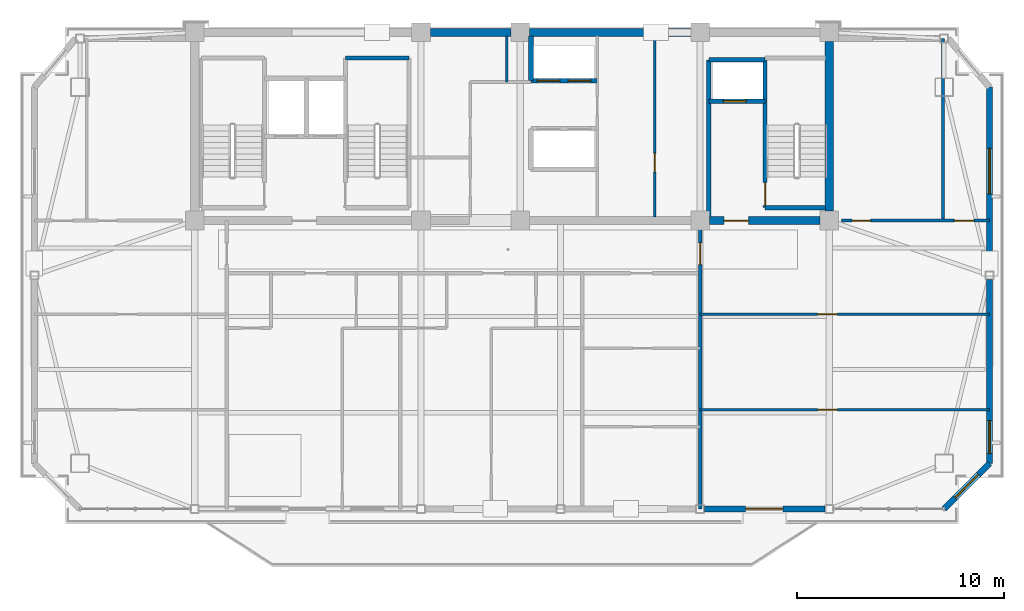
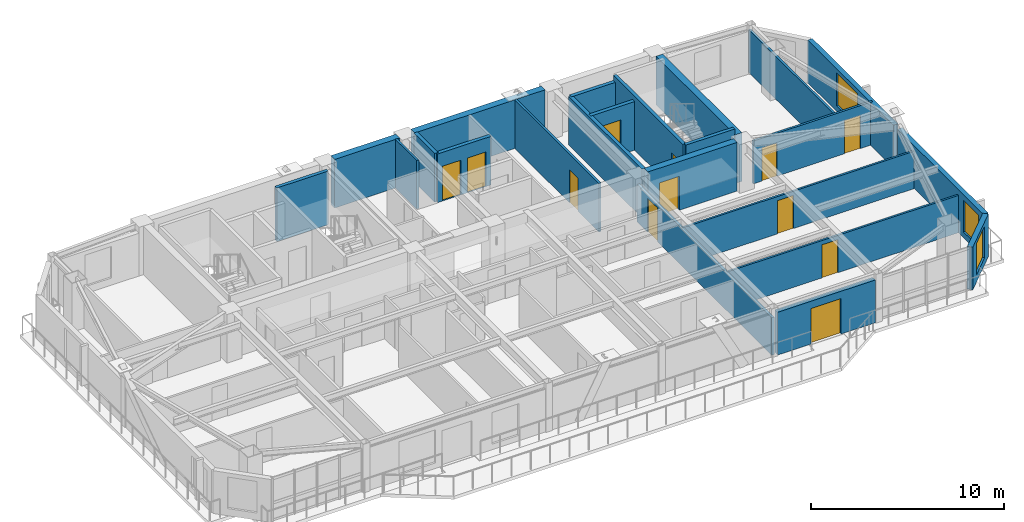
# One storey, part 8 of 13: 23 walls, 12 doors, 3 windows, 15 openings.
"""IFC4 building model written with IfcOpenShell, lengths in metres."""

from ifc_helpers import new_model, si_unit, direction, frame, frame_2d, origin, place, context, subcontext, project, spatial, rectangle, extrude, source, transform, mapped, material, layer, layer_set, type_object, element, fill, save


model = new_model("IFC4")

# Units and contexts
model_context = context("Model", 3, precision=1e-05, world=origin(), true_north=direction((0.0, 1.0)))
body_context = subcontext(model_context, "Body", "Model", "MODEL_VIEW")
ifc_project = project(units=[si_unit("LENGTHUNIT", "METRE"), si_unit("AREAUNIT", "SQUARE_METRE"), si_unit("VOLUMEUNIT", "CUBIC_METRE"), si_unit("PLANEANGLEUNIT", "RADIAN"), si_unit("MASSUNIT", "GRAM", prefix="KILO")], contexts=[model_context])

# Site, building, storey
site_placement = place(None, origin())
site = spatial("IfcSite", under=ifc_project, at=site_placement, CompositionType="ELEMENT")
building_placement = place(site_placement, origin())
building = spatial("IfcBuilding", under=site, at=building_placement, Name="Giltprow Tower", CompositionType="ELEMENT")
storey_placement = place(building_placement, frame((0.0, 0.0, 349.300048828125)))
storey = spatial("IfcBuildingStorey", under=building, at=storey_placement, Name="L91", CompositionType="ELEMENT", Elevation=349.300048828125)

# Wall, opening, window
ifc_material_1 = material(Name="Precast concrete C40", Category="concrete")
ifc_layer_1 = layer(ifc_material_1, 0.300048828125, Name="Precast concrete C40")
ifc_layer_set_1 = layer_set([ifc_layer_1], Name="Precast concrete C40")
wall_type_1 = type_object("IfcWallType", Name="EW-NOTCH-CHAMFER-300", PredefinedType="SOLIDWALL", material=ifc_layer_set_1)
wall_1_placement = place(storey_placement, frame((56.10009765625, 23.5, 0.0), z_axis=(0.0, 0.0, 1.0), x_axis=(0.707106781187, 0.707106781187, 0.0)))
wall_1 = element("IfcWall", 1, at=wall_1_placement, inside=storey, type_object=wall_type_1, Name="L91 Corner Notch Wall SE", PredefinedType="SOLIDWALL", context=body_context, shape_type="SweptSolid", body=[
    extrude(rectangle(XDim=3.111083984375, YDim=0.300048828125, at=frame_2d((1.5556640625, 0.0))), origin(), (0.0, 0.0, 1.0), 2.7099609375),
])
opening_1_placement = place(wall_1_placement, frame((0.756103515625, 0.0, 0.449951171875)))
opening_1 = element("IfcOpeningElement", 2, at=opening_1_placement, cuts=wall_1, Name="Opening WN17", PredefinedType="OPENING", context=body_context, shape_type="SweptSolid", body=[
    extrude(rectangle(XDim=1.60009765625, YDim=2.0, at=frame_2d((0.800048828125, 1.0))), frame((0.0, 0.159912109375, 0.0), z_axis=(0.0, -1.0, 0.0), x_axis=(1.0, 0.0, 0.0)), (0.0, 0.0, 1.0), 0.320068359375),
])
ifc_material_2 = material(Name="Insulated glass", Category="glass")
window_type_1 = type_object("IfcWindowType", Name="WN-COR-1600x2000", PartitioningType="SINGLE_PANEL", PredefinedType="WINDOW", material=ifc_material_2)
shared_shape_1 = source(origin(), body_context, "Body", "SweptSolid", [
    extrude(rectangle(XDim=1.60009765625, YDim=2.0, at=frame_2d((0.800048828125, 1.0))), frame((0.0, 0.030029296875, 0.0), z_axis=(0.0, -1.0, 0.0), x_axis=(1.0, 0.0, 0.0)), (0.0, 0.0, 1.0), 0.06005859375),
])
window_1_placement = place(opening_1_placement, origin())
window_1 = element("IfcWindow", 3, at=window_1_placement, inside=storey, type_object=window_type_1, Name="L91 Corner Notch Window SE", OverallHeight=2.0, OverallWidth=1.60009765625, PartitioningType="SINGLE_PANEL", PredefinedType="WINDOW", context=body_context, shape_type="MappedRepresentation", body=[
    mapped(shared_shape_1, transform((0.0, 0.0, 0.0), x_axis=(1.0, 0.0, 0.0), y_axis=(0.0, 1.0, 0.0), z_axis=(0.0, 0.0, 1.0), scale=1.0)),
])
fill(opening_1, window_1)

# Wall, opening, door
ifc_layer_2 = layer(ifc_material_1, 0.280029296875, Name="Precast concrete C40")
ifc_layer_set_2 = layer_set([ifc_layer_2], Name="Precast concrete C40")
wall_type_2 = type_object("IfcWallType", Name="EW-TOW-BRONZE-280", PredefinedType="SOLIDWALL", material=ifc_layer_set_2)
wall_2_placement = place(storey_placement, frame((44.5, 23.5, 0.0), z_axis=(0.0, 0.0, 1.0), x_axis=(1.0, 0.0, 0.0)))
wall_2 = element("IfcWall", 4, at=wall_2_placement, inside=storey, type_object=wall_type_2, Name="L91 South Expressed Frame Wall 5", PredefinedType="SOLIDWALL", context=body_context, shape_type="SweptSolid", body=[
    extrude(rectangle(XDim=5.85009765625, YDim=0.280029296875, at=frame_2d((2.925048828125, 0.0))), origin(), (0.0, 0.0, 1.0), 2.7099609375),
])
opening_2_placement = place(wall_2_placement, frame((2.0, 0.0, 0.0)))
opening_2 = element("IfcOpeningElement", 5, at=opening_2_placement, cuts=wall_2, Name="Opening ED25", PredefinedType="OPENING", context=body_context, shape_type="SweptSolid", body=[
    extrude(rectangle(XDim=1.800048828125, YDim=2.25, at=frame_2d((0.89990234375, 1.125))), frame((0.0, 0.14990234375, 0.0), z_axis=(0.0, -1.0, 0.0), x_axis=(1.0, 0.0, 0.0)), (0.0, 0.0, 1.0), 0.300048828125),
])
ifc_material_3 = material(Name="Anodized bronze and glass", Category="glass")
door_type_1 = type_object("IfcDoorType", Name="DR-BALC-SLIDE-1800", OperationType="SLIDING_TO_LEFT", PredefinedType="DOOR", material=ifc_material_3)
shared_shape_2 = source(origin(), body_context, "Body", "SweptSolid", [
    extrude(rectangle(XDim=1.800048828125, YDim=2.25, at=frame_2d((0.89990234375, 1.125))), frame((0.0, 0.02490234375, 0.0), z_axis=(0.0, -1.0, 0.0), x_axis=(1.0, 0.0, 0.0)), (0.0, 0.0, 1.0), 0.050048828125),
])
door_1_placement = place(opening_2_placement, origin())
door_1 = element("IfcDoor", 6, at=door_1_placement, inside=storey, type_object=door_type_1, Name="L91 Waterfront Balcony Sliding Door 2", OperationType="SLIDING_TO_LEFT", OverallHeight=2.25, OverallWidth=1.800048828125, PredefinedType="DOOR", context=body_context, shape_type="MappedRepresentation", body=[
    mapped(shared_shape_2, transform((0.0, 0.0, 0.0), x_axis=(1.0, 0.0, 0.0), y_axis=(0.0, 1.0, 0.0), z_axis=(0.0, 0.0, 1.0), scale=1.0)),
])
fill(opening_2, door_1)

# Wall, opening, window
wall_3_placement = place(storey_placement, frame((58.300048828125, 25.699951171875, 0.0), z_axis=(0.0, 0.0, 1.0), x_axis=(0.0, 1.0, 0.0)))
wall_3 = element("IfcWall", 7, at=wall_3_placement, inside=storey, type_object=wall_type_2, Name="L91 E Wing Masonry Wall 1", PredefinedType="SOLIDWALL", context=body_context, shape_type="SweptSolid", body=[
    extrude(rectangle(XDim=8.900146484375, YDim=0.280029296875, at=frame_2d((4.4501953125, 0.0))), origin(), (0.0, 0.0, 1.0), 2.7099609375),
])
opening_3_placement = place(wall_3_placement, frame((0.468017578125, 0.0, 0.35009765625)))
opening_3 = element("IfcOpeningElement", 8, at=opening_3_placement, cuts=wall_3, Name="Opening WN17", PredefinedType="OPENING", context=body_context, shape_type="SweptSolid", body=[
    extrude(rectangle(XDim=1.60009765625, YDim=2.0, at=frame_2d((0.800048828125, 1.0))), frame((0.0, 0.14990234375, 0.0), z_axis=(0.0, -1.0, 0.0), x_axis=(1.0, 0.0, 0.0)), (0.0, 0.0, 1.0), 0.300048828125),
])
window_2_placement = place(opening_3_placement, origin())
window_2 = element("IfcWindow", 9, at=window_2_placement, inside=storey, type_object=window_type_1, Name="L91 E Wing Window 1-1", OverallHeight=2.0, OverallWidth=1.60009765625, PartitioningType="SINGLE_PANEL", PredefinedType="WINDOW", context=body_context, shape_type="MappedRepresentation", body=[
    mapped(shared_shape_1, transform((0.0, 0.0, 0.0), x_axis=(1.0, 0.0, 0.0), y_axis=(0.0, 1.0, 0.0), z_axis=(0.0, 0.0, 1.0), scale=1.0)),
])
fill(opening_3, window_2)

wall_4_placement = place(storey_placement, frame((58.300048828125, 35.0, 0.0), z_axis=(0.0, 0.0, 1.0), x_axis=(0.0, 1.0, 0.0)))
wall_4 = element("IfcWall", 10, at=wall_4_placement, inside=storey, type_object=wall_type_2, Name="L91 E Wing Masonry Wall 2", PredefinedType="SOLIDWALL", context=body_context, shape_type="SweptSolid", body=[
    extrude(rectangle(XDim=8.89990234375, YDim=0.280029296875, at=frame_2d((4.449951171875, 0.0))), origin(), (0.0, 0.0, 1.0), 2.7099609375),
])
opening_4_placement = place(wall_4_placement, frame((3.73388671875, 0.0, 0.35009765625)))
opening_4 = element("IfcOpeningElement", 11, at=opening_4_placement, cuts=wall_4, Name="Opening WN27", PredefinedType="OPENING", context=body_context, shape_type="SweptSolid", body=[
    extrude(rectangle(XDim=2.199951171875, YDim=2.10009765625, at=frame_2d((1.10009765625, 1.050048828125))), frame((0.0, 0.14990234375, 0.0), z_axis=(0.0, -1.0, 0.0), x_axis=(1.0, 0.0, 0.0)), (0.0, 0.0, 1.0), 0.300048828125),
])
window_type_2 = type_object("IfcWindowType", Name="WN-RES-2200x2100", PartitioningType="TRIPLE_PANEL_VERTICAL", PredefinedType="WINDOW", material=ifc_material_2)
shared_shape_3 = source(origin(), body_context, "Body", "SweptSolid", [
    extrude(rectangle(XDim=2.199951171875, YDim=2.10009765625, at=frame_2d((1.10009765625, 1.050048828125))), frame((0.0, 0.030029296875, 0.0), z_axis=(0.0, -1.0, 0.0), x_axis=(1.0, 0.0, 0.0)), (0.0, 0.0, 1.0), 0.06005859375),
])
window_3_placement = place(opening_4_placement, origin())
window_3 = element("IfcWindow", 12, at=window_3_placement, inside=storey, type_object=window_type_2, Name="L91 E Wing Window 2-1", OverallHeight=2.10009765625, OverallWidth=2.199951171875, PartitioningType="SINGLE_PANEL", PredefinedType="WINDOW", context=body_context, shape_type="MappedRepresentation", body=[
    mapped(shared_shape_3, transform((0.0, 0.0, 0.0), x_axis=(1.0, 0.0, 0.0), y_axis=(0.0, 1.0, 0.0), z_axis=(0.0, 0.0, 1.0), scale=1.0)),
])
fill(opening_4, window_3)

# Wall, opening, door
ifc_material_4 = material(Name="Gypsum stud partition", Category="gypsum")
ifc_layer_3 = layer(ifc_material_4, 0.159912109375, Name="Gypsum stud partition")
ifc_layer_set_3 = layer_set([ifc_layer_3], Name="Gypsum stud partition")
wall_type_3 = type_object("IfcWallType", Name="IW-DEMISE-160", PredefinedType="PARTITIONING", material=ifc_layer_set_3)
wall_5_placement = place(storey_placement, frame((44.300048828125, 23.5, 0.0), z_axis=(0.0, 0.0, 1.0), x_axis=(0.0, 1.0, 0.0)))
wall_5 = element("IfcWall", 13, at=wall_5_placement, inside=storey, type_object=wall_type_3, Name="L91 Apartment Party Wall 4", PredefinedType="PARTITIONING", context=body_context, shape_type="SweptSolid", body=[
    extrude(rectangle(XDim=13.949951171875, YDim=0.159912109375, at=frame_2d((6.97509765625, 0.0))), origin(), (0.0, 0.0, 1.0), 2.364990234375),
])
opening_5_placement = place(wall_5_placement, frame((11.820068359375, 0.0, 0.0)))
opening_5 = element("IfcOpeningElement", 14, at=opening_5_placement, cuts=wall_5, Name="Opening ID31", PredefinedType="OPENING", context=body_context, shape_type="SweptSolid", body=[
    extrude(rectangle(XDim=1.050048828125, YDim=2.14990234375, at=frame_2d((0.52490234375, 1.074951171875))), frame((0.0, 0.08984375, 0.0), z_axis=(0.0, -1.0, 0.0), x_axis=(1.0, 0.0, 0.0)), (0.0, 0.0, 1.0), 0.179931640625),
])
ifc_material_5 = material(Name="Engineered timber", Category="wood")
door_type_2 = type_object("IfcDoorType", Name="DR-SUITE-1050", OperationType="SINGLE_SWING_LEFT", PredefinedType="DOOR", material=ifc_material_5)
shared_shape_4 = source(origin(), body_context, "Body", "SweptSolid", [
    extrude(rectangle(XDim=1.050048828125, YDim=2.14990234375, at=frame_2d((0.52490234375, 1.074951171875))), frame((0.0, 0.02490234375, 0.0), z_axis=(0.0, -1.0, 0.0), x_axis=(1.0, 0.0, 0.0)), (0.0, 0.0, 1.0), 0.050048828125),
])
door_2_placement = place(opening_5_placement, origin())
door_2 = element("IfcDoor", 15, at=door_2_placement, inside=storey, type_object=door_type_2, Name="L91 Executive Summit Meeting Room 2 Corridor End Door", OperationType="SINGLE_SWING_LEFT", OverallHeight=2.14990234375, OverallWidth=1.050048828125, PredefinedType="DOOR", context=body_context, shape_type="MappedRepresentation", body=[
    mapped(shared_shape_4, transform((0.0, 0.0, 0.0), x_axis=(1.0, 0.0, 0.0), y_axis=(0.0, 1.0, 0.0), z_axis=(0.0, 0.0, 1.0), scale=1.0)),
])
fill(opening_5, door_2)

ifc_layer_4 = layer(ifc_material_4, 0.1201171875, Name="Gypsum stud partition")
ifc_layer_set_4 = layer_set([ifc_layer_4], Name="Gypsum stud partition")
wall_type_4 = type_object("IfcWallType", Name="IW-ROOM-120", PredefinedType="PARTITIONING", material=ifc_layer_set_4)
wall_6_placement = place(storey_placement, frame((44.300048828125, 28.306884765625, 0.0), z_axis=(0.0, 0.0, 1.0), x_axis=(1.0, 0.0, 0.0)))
wall_6 = element("IfcWall", 16, at=wall_6_placement, inside=storey, type_object=wall_type_4, Name="L91 Special Split 1", PredefinedType="PARTITIONING", context=body_context, shape_type="SweptSolid", body=[
    extrude(rectangle(XDim=14.0, YDim=0.1201171875, at=frame_2d((7.0, 0.0))), origin(), (0.0, 0.0, 1.0), 2.364990234375),
])
opening_6_placement = place(wall_6_placement, frame((5.68603515625, 0.0, 0.0)))
opening_6 = element("IfcOpeningElement", 17, at=opening_6_placement, cuts=wall_6, Name="Opening ID11", PredefinedType="OPENING", context=body_context, shape_type="SweptSolid", body=[
    extrude(rectangle(XDim=0.949951171875, YDim=2.10009765625, at=frame_2d((0.47509765625, 1.050048828125))), frame((0.0, 0.070068359375, 0.0), z_axis=(0.0, -1.0, 0.0), x_axis=(1.0, 0.0, 0.0)), (0.0, 0.0, 1.0), 0.14013671875),
])
door_type_3 = type_object("IfcDoorType", Name="DR-ROOM-950", OperationType="SINGLE_SWING_RIGHT", PredefinedType="DOOR", material=ifc_material_5)
shared_shape_5 = source(origin(), body_context, "Body", "SweptSolid", [
    extrude(rectangle(XDim=0.949951171875, YDim=2.10009765625, at=frame_2d((0.47509765625, 1.050048828125))), frame((0.0, 0.02490234375, 0.0), z_axis=(0.0, -1.0, 0.0), x_axis=(1.0, 0.0, 0.0)), (0.0, 0.0, 1.0), 0.050048828125),
])
door_3_placement = place(opening_6_placement, origin())
door_3 = element("IfcDoor", 18, at=door_3_placement, inside=storey, type_object=door_type_3, Name="L91 Executive Summit Meeting Room 2 South Door", OperationType="SINGLE_SWING_RIGHT", OverallHeight=2.10009765625, OverallWidth=0.949951171875, PredefinedType="DOOR", context=body_context, shape_type="MappedRepresentation", body=[
    mapped(shared_shape_5, transform((0.0, 0.0, 0.0), x_axis=(1.0, 0.0, 0.0), y_axis=(0.0, 1.0, 0.0), z_axis=(0.0, 0.0, 1.0), scale=1.0)),
])
fill(opening_6, door_3)

wall_7_placement = place(storey_placement, frame((44.300048828125, 32.9140625, 0.0), z_axis=(0.0, 0.0, 1.0), x_axis=(1.0, 0.0, 0.0)))
wall_7 = element("IfcWall", 19, at=wall_7_placement, inside=storey, type_object=wall_type_4, Name="L91 Special Split 2", PredefinedType="PARTITIONING", context=body_context, shape_type="SweptSolid", body=[
    extrude(rectangle(XDim=14.0, YDim=0.1201171875, at=frame_2d((7.0, 0.0))), origin(), (0.0, 0.0, 1.0), 2.364990234375),
])
opening_7_placement = place(wall_7_placement, frame((5.68603515625, 0.0, 0.0)))
opening_7 = element("IfcOpeningElement", 20, at=opening_7_placement, cuts=wall_7, Name="Opening ID11", PredefinedType="OPENING", context=body_context, shape_type="SweptSolid", body=[
    extrude(rectangle(XDim=0.949951171875, YDim=2.10009765625, at=frame_2d((0.47509765625, 1.050048828125))), frame((0.0, 0.070068359375, 0.0), z_axis=(0.0, -1.0, 0.0), x_axis=(1.0, 0.0, 0.0)), (0.0, 0.0, 1.0), 0.14013671875),
])
door_4_placement = place(opening_7_placement, origin())
door_4 = element("IfcDoor", 21, at=door_4_placement, inside=storey, type_object=door_type_3, Name="L91 Executive Summit Meeting Room 2 Mid Door", OperationType="SINGLE_SWING_LEFT", OverallHeight=2.10009765625, OverallWidth=0.949951171875, PredefinedType="DOOR", context=body_context, shape_type="MappedRepresentation", body=[
    mapped(shared_shape_5, transform((0.0, 0.0, 0.0), x_axis=(1.0, 0.0, 0.0), y_axis=(0.0, 1.0, 0.0), z_axis=(0.0, 0.0, 1.0), scale=1.0)),
])
fill(opening_7, door_4)

ifc_material_6 = material(Name="Concrete C40", Category="concrete")
ifc_layer_5 = layer(ifc_material_6, 0.219970703125, Name="Concrete C40")
ifc_layer_set_5 = layer_set([ifc_layer_5], Name="Concrete C40")
wall_type_5 = type_object("IfcWallType", Name="IW-SHAFT-220", PredefinedType="SOLIDWALL", material=ifc_layer_set_5)
wall_8_placement = place(storey_placement, frame((44.719970703125, 43.219970703125, 0.0), z_axis=(0.0, 0.0, 1.0), x_axis=(1.0, 0.0, 0.0)))
wall_8 = element("IfcWall", 22, at=wall_8_placement, inside=storey, type_object=wall_type_5, Name="L91 FFL2 Front Shaft Wall", PredefinedType="SOLIDWALL", context=body_context, shape_type="SweptSolid", body=[
    extrude(rectangle(XDim=2.719970703125, YDim=0.219970703125, at=frame_2d((1.35986328125, 0.0))), origin(), (0.0, 0.0, 1.0), 3.079833984375),
])
opening_8_placement = place(wall_8_placement, frame((0.699951171875, 0.0, 0.0)))
opening_8 = element("IfcOpeningElement", 23, at=opening_8_placement, cuts=wall_8, Name="Opening LD-11", PredefinedType="OPENING", context=body_context, shape_type="SweptSolid", body=[
    extrude(rectangle(XDim=1.10009765625, YDim=2.199951171875, at=frame_2d((0.550048828125, 1.10009765625))), frame((0.0, 0.119873046875, 0.0), z_axis=(0.0, -1.0, 0.0), x_axis=(1.0, 0.0, 0.0)), (0.0, 0.0, 1.0), 0.239990234375),
])
ifc_material_7 = material(Name="Stainless steel", Category="steel")
door_type_4 = type_object("IfcDoorType", Name="DR-LIFT-LD1100", OperationType="SLIDING_TO_LEFT", PredefinedType="DOOR", material=ifc_material_7)
shared_shape_6 = source(origin(), body_context, "Body", "SweptSolid", [
    extrude(rectangle(XDim=1.10009765625, YDim=2.199951171875, at=frame_2d((0.550048828125, 1.10009765625))), frame((0.0, 0.02490234375, 0.0), z_axis=(0.0, -1.0, 0.0), x_axis=(1.0, 0.0, 0.0)), (0.0, 0.0, 1.0), 0.050048828125),
])
door_5_placement = place(opening_8_placement, origin())
door_5 = element("IfcDoor", 24, at=door_5_placement, inside=storey, type_object=door_type_4, Name="L91 FFL2 Landing Door", OperationType="SLIDING_TO_LEFT", OverallHeight=2.199951171875, OverallWidth=1.10009765625, PredefinedType="DOOR", context=body_context, shape_type="MappedRepresentation", body=[
    mapped(shared_shape_6, transform((0.0, 0.0, 0.0), x_axis=(1.0, 0.0, 0.0), y_axis=(0.0, 1.0, 0.0), z_axis=(0.0, 0.0, 1.0), scale=1.0)),
])
fill(opening_8, door_5)

# Walls
wall_9_placement = place(storey_placement, frame((44.719970703125, 45.219970703125, 0.0), z_axis=(0.0, 0.0, 1.0), x_axis=(1.0, 0.0, 0.0)))
element("IfcWall", 25, at=wall_9_placement, inside=storey, type_object=wall_type_5, Name="L91 FFL2 Back Shaft Wall", PredefinedType="SOLIDWALL", context=body_context, shape_type="SweptSolid", body=[
    extrude(rectangle(XDim=2.719970703125, YDim=0.219970703125, at=frame_2d((1.35986328125, 0.0))), origin(), (0.0, 0.0, 1.0), 3.079833984375),
])
wall_10_placement = place(storey_placement, frame((44.719970703125, 37.6298828125, 0.0), z_axis=(0.0, 0.0, 1.0), x_axis=(0.0, 1.0, 0.0)))
element("IfcWall", 26, at=wall_10_placement, inside=storey, type_object=wall_type_5, Name="L91 East Firefighting Lobby West Wall", PredefinedType="SOLIDWALL", context=body_context, shape_type="SweptSolid", body=[
    extrude(rectangle(XDim=7.590087890625, YDim=0.219970703125, at=frame_2d((3.794921875, 0.0))), origin(), (0.0, 0.0, 1.0), 3.079833984375),
])

# Wall, openings, doors
wall_11_placement = place(storey_placement, frame((36.1201171875, 44.219970703125, 0.0), z_axis=(0.0, 0.0, 1.0), x_axis=(1.0, 0.0, 0.0)))
wall_11 = element("IfcWall", 27, at=wall_11_placement, inside=storey, type_object=wall_type_5, Name="L91 High-Rise Lift Shaft Front Wall N", PredefinedType="SOLIDWALL", context=body_context, shape_type="SweptSolid", body=[
    extrude(rectangle(XDim=3.199951171875, YDim=0.219970703125, at=frame_2d((1.60009765625, 0.0))), origin(), (0.0, 0.0, 1.0), 3.079833984375),
])
opening_9_placement = place(wall_11_placement, frame((0.300048828125, 0.0, 0.0)))
opening_9 = element("IfcOpeningElement", 28, at=opening_9_placement, cuts=wall_11, Name="Opening LD-11", PredefinedType="OPENING", context=body_context, shape_type="SweptSolid", body=[
    extrude(rectangle(XDim=1.10009765625, YDim=2.199951171875, at=frame_2d((0.550048828125, 1.10009765625))), frame((0.0, 0.119873046875, 0.0), z_axis=(0.0, -1.0, 0.0), x_axis=(1.0, 0.0, 0.0)), (0.0, 0.0, 1.0), 0.239990234375),
])
opening_10_placement = place(wall_11_placement, frame((1.7900390625, 0.0, 0.0)))
opening_10 = element("IfcOpeningElement", 29, at=opening_10_placement, cuts=wall_11, Name="Opening LD-11", PredefinedType="OPENING", context=body_context, shape_type="SweptSolid", body=[
    extrude(rectangle(XDim=1.10009765625, YDim=2.199951171875, at=frame_2d((0.550048828125, 1.10009765625))), frame((0.0, 0.119873046875, 0.0), z_axis=(0.0, -1.0, 0.0), x_axis=(1.0, 0.0, 0.0)), (0.0, 0.0, 1.0), 0.239990234375),
])
door_6_placement = place(opening_9_placement, origin())
door_6 = element("IfcDoor", 30, at=door_6_placement, inside=storey, type_object=door_type_4, Name="L91 PL-H1 Landing Door", OperationType="SLIDING_TO_LEFT", OverallHeight=2.199951171875, OverallWidth=1.10009765625, PredefinedType="DOOR", context=body_context, shape_type="MappedRepresentation", body=[
    mapped(shared_shape_6, transform((0.0, 0.0, 0.0), x_axis=(1.0, 0.0, 0.0), y_axis=(0.0, 1.0, 0.0), z_axis=(0.0, 0.0, 1.0), scale=1.0)),
])
fill(opening_9, door_6)
door_7_placement = place(opening_10_placement, origin())
door_7 = element("IfcDoor", 31, at=door_7_placement, inside=storey, type_object=door_type_4, Name="L91 PL-H2 Landing Door", OperationType="SLIDING_TO_LEFT", OverallHeight=2.199951171875, OverallWidth=1.10009765625, PredefinedType="DOOR", context=body_context, shape_type="MappedRepresentation", body=[
    mapped(shared_shape_6, transform((0.0, 0.0, 0.0), x_axis=(1.0, 0.0, 0.0), y_axis=(0.0, 1.0, 0.0), z_axis=(0.0, 0.0, 1.0), scale=1.0)),
])
fill(opening_10, door_7)

# Walls
wall_12_placement = place(storey_placement, frame((36.1201171875, 44.219970703125, 0.0), z_axis=(0.0, 0.0, 1.0), x_axis=(0.0, 1.0, 0.0)))
element("IfcWall", 32, at=wall_12_placement, inside=storey, type_object=wall_type_5, Name="L91 High-Rise North Lift West Closure", PredefinedType="SOLIDWALL", context=body_context, shape_type="SweptSolid", body=[
    extrude(rectangle(XDim=2.150146484375, YDim=0.219970703125, at=frame_2d((1.0751953125, 0.0))), origin(), (0.0, 0.0, 1.0), 3.079833984375),
])
ifc_layer_6 = layer(ifc_material_6, 0.199951171875, Name="Concrete C40")
ifc_layer_set_6 = layer_set([ifc_layer_6], Name="Concrete C40")
wall_type_6 = type_object("IfcWallType", Name="IW-STAIR-200", PredefinedType="SOLIDWALL", material=ifc_layer_set_6)
wall_13_placement = place(storey_placement, frame((27.139892578125, 45.320068359375, 0.0), z_axis=(0.0, 0.0, 1.0), x_axis=(1.0, 0.0, 0.0)))
element("IfcWall", 33, at=wall_13_placement, inside=storey, type_object=wall_type_6, Name="L91 Stair ST-2 North Bearing Wall", PredefinedType="SOLIDWALL", context=body_context, shape_type="SweptSolid", body=[
    extrude(rectangle(XDim=3.080078125, YDim=0.199951171875, at=frame_2d((1.5400390625, 0.0))), origin(), (0.0, 0.0, 1.0), 3.39990234375),
])

# Wall, opening, door
wall_14_placement = place(storey_placement, frame((47.43994140625, 38.070068359375, 0.0), z_axis=(0.0, 0.0, 1.0), x_axis=(0.0, 1.0, 0.0)))
wall_14 = element("IfcWall", 34, at=wall_14_placement, inside=storey, type_object=wall_type_6, Name="L91 Stair ST-3 West Bearing Wall", PredefinedType="SOLIDWALL", context=body_context, shape_type="SweptSolid", body=[
    extrude(rectangle(XDim=7.25, YDim=0.199951171875, at=frame_2d((3.625, 0.0))), origin(), (0.0, 0.0, 1.0), 3.39990234375),
])
opening_11_placement = place(wall_14_placement, frame((0.110107421875, 0.0, 0.0)))
opening_11 = element("IfcOpeningElement", 35, at=opening_11_placement, cuts=wall_14, Name="Opening ID33", PredefinedType="OPENING", context=body_context, shape_type="SweptSolid", body=[
    extrude(rectangle(XDim=1.10009765625, YDim=2.14990234375, at=frame_2d((0.550048828125, 1.074951171875))), frame((0.0, 0.10986328125, 0.0), z_axis=(0.0, -1.0, 0.0), x_axis=(1.0, 0.0, 0.0)), (0.0, 0.0, 1.0), 0.219970703125),
])
ifc_material_8 = material(Name="Steel fire leaf", Category="steel")
door_type_5 = type_object("IfcDoorType", Name="DR-STAIR-1100", OperationType="SINGLE_SWING_LEFT", PredefinedType="DOOR", material=ifc_material_8)
shared_shape_7 = source(origin(), body_context, "Body", "SweptSolid", [
    extrude(rectangle(XDim=1.10009765625, YDim=2.14990234375, at=frame_2d((0.550048828125, 1.074951171875))), frame((0.0, 0.02490234375, 0.0), z_axis=(0.0, -1.0, 0.0), x_axis=(1.0, 0.0, 0.0)), (0.0, 0.0, 1.0), 0.050048828125),
])
door_8_placement = place(opening_11_placement, origin())
door_8 = element("IfcDoor", 36, at=door_8_placement, inside=storey, type_object=door_type_5, Name="L91 Stair ST-3 Fire Door", OperationType="SINGLE_SWING_LEFT", OverallHeight=2.14990234375, OverallWidth=1.10009765625, PredefinedType="DOOR", context=body_context, shape_type="MappedRepresentation", body=[
    mapped(shared_shape_7, transform((0.0, 0.0, 0.0), x_axis=(1.0, 0.0, 0.0), y_axis=(0.0, 1.0, 0.0), z_axis=(0.0, 0.0, 1.0), scale=1.0)),
])
fill(opening_11, door_8)

# Walls
wall_15_placement = place(storey_placement, frame((47.43994140625, 38.070068359375, 0.0), z_axis=(0.0, 0.0, 1.0), x_axis=(1.0, 0.0, 0.0)))
element("IfcWall", 37, at=wall_15_placement, inside=storey, type_object=wall_type_6, Name="L91 Stair ST-3 South Bearing Wall", PredefinedType="SOLIDWALL", context=body_context, shape_type="SweptSolid", body=[
    extrude(rectangle(XDim=2.93017578125, YDim=0.199951171875, at=frame_2d((1.465087890625, 0.0))), origin(), (0.0, 0.0, 1.0), 3.39990234375),
])
ifc_material_9 = material(Name="Concrete C30", Category="concrete")
ifc_layer_7 = layer(ifc_material_9, 0.1298828125, Name="Concrete C30")
ifc_layer_set_7 = layer_set([ifc_layer_7], Name="Concrete C30")
wall_type_7 = type_object("IfcWallType", Name="IW-WET-130", PredefinedType="PARTITIONING", material=ifc_layer_set_7)
wall_16_placement = place(storey_placement, frame((34.949951171875, 44.14990234375, 0.0), z_axis=(0.0, 0.0, 1.0), x_axis=(0.0, 1.0, 0.0)))
element("IfcWall", 38, at=wall_16_placement, inside=storey, type_object=wall_type_7, Name="L91 Reclaimed West Pocket Wall E", PredefinedType="PARTITIONING", context=body_context, shape_type="SweptSolid", body=[
    extrude(rectangle(XDim=2.22021484375, YDim=0.1298828125, at=frame_2d((1.110107421875, 0.0))), origin(), (0.0, 0.0, 1.0), 3.079833984375),
])

# Wall, opening, door
wall_17_placement = place(storey_placement, frame((42.10009765625, 37.6298828125, 0.0), z_axis=(0.0, 0.0, 1.0), x_axis=(0.0, 1.0, 0.0)))
wall_17 = element("IfcWall", 39, at=wall_17_placement, inside=storey, type_object=wall_type_7, Name="L91 East Core Vertical Divider", PredefinedType="PARTITIONING", context=body_context, shape_type="SweptSolid", body=[
    extrude(rectangle(XDim=8.740234375, YDim=0.1298828125, at=frame_2d((4.3701171875, 0.0))), origin(), (0.0, 0.0, 1.0), 3.079833984375),
])
opening_12_placement = place(wall_17_placement, frame((2.169921875, 0.0, 0.0)))
opening_12 = element("IfcOpeningElement", 40, at=opening_12_placement, cuts=wall_17, Name="Opening ID35", PredefinedType="OPENING", context=body_context, shape_type="SweptSolid", body=[
    extrude(rectangle(XDim=0.89990234375, YDim=2.10009765625, at=frame_2d((0.449951171875, 1.050048828125))), frame((0.0, 0.074951171875, 0.0), z_axis=(0.0, -1.0, 0.0), x_axis=(1.0, 0.0, 0.0)), (0.0, 0.0, 1.0), 0.14990234375),
])
door_type_6 = type_object("IfcDoorType", Name="DR-SHAFT-900", OperationType="SINGLE_SWING_LEFT", PredefinedType="DOOR", material=ifc_material_8)
shared_shape_8 = source(origin(), body_context, "Body", "SweptSolid", [
    extrude(rectangle(XDim=0.89990234375, YDim=2.10009765625, at=frame_2d((0.449951171875, 1.050048828125))), frame((0.0, 0.02490234375, 0.0), z_axis=(0.0, -1.0, 0.0), x_axis=(1.0, 0.0, 0.0)), (0.0, 0.0, 1.0), 0.050048828125),
])
door_9_placement = place(opening_12_placement, origin())
door_9 = element("IfcDoor", 41, at=door_9_placement, inside=storey, type_object=door_type_6, Name="L91 Core Wine Store Inner Door", OperationType="SINGLE_SWING_LEFT", OverallHeight=2.10009765625, OverallWidth=0.89990234375, PredefinedType="DOOR", context=body_context, shape_type="MappedRepresentation", body=[
    mapped(shared_shape_8, transform((0.0, 0.0, 0.0), x_axis=(1.0, 0.0, 0.0), y_axis=(0.0, 1.0, 0.0), z_axis=(0.0, 0.0, 1.0), scale=1.0)),
])
fill(opening_12, door_9)

# Wall, openings, doors
wall_18_placement = place(storey_placement, frame((51.14990234375, 37.449951171875, 0.0), z_axis=(0.0, 0.0, 1.0), x_axis=(1.0, 0.0, 0.0)))
wall_18 = element("IfcWall", 42, at=wall_18_placement, inside=storey, type_object=wall_type_7, Name="L91 NE Wing South Wall", PredefinedType="PARTITIONING", context=body_context, shape_type="SweptSolid", body=[
    extrude(rectangle(XDim=7.150146484375, YDim=0.1298828125, at=frame_2d((3.5751953125, 0.0))), origin(), (0.0, 0.0, 1.0), 2.71484375),
])
opening_13_placement = place(wall_18_placement, frame((0.5, 0.0, 0.0)))
opening_13 = element("IfcOpeningElement", 43, at=opening_13_placement, cuts=wall_18, Name="Opening ID15", PredefinedType="OPENING", context=body_context, shape_type="SweptSolid", body=[
    extrude(rectangle(XDim=0.89990234375, YDim=2.10009765625, at=frame_2d((0.449951171875, 1.050048828125))), frame((0.0, 0.074951171875, 0.0), z_axis=(0.0, -1.0, 0.0), x_axis=(1.0, 0.0, 0.0)), (0.0, 0.0, 1.0), 0.14990234375),
])
opening_14_placement = place(wall_18_placement, frame((5.445068359375, 0.0, 0.0)))
opening_14 = element("IfcOpeningElement", 44, at=opening_14_placement, cuts=wall_18, Name="Opening ID11", PredefinedType="OPENING", context=body_context, shape_type="SweptSolid", body=[
    extrude(rectangle(XDim=0.949951171875, YDim=2.10009765625, at=frame_2d((0.47509765625, 1.050048828125))), frame((0.0, 0.074951171875, 0.0), z_axis=(0.0, -1.0, 0.0), x_axis=(1.0, 0.0, 0.0)), (0.0, 0.0, 1.0), 0.14990234375),
])
door_type_7 = type_object("IfcDoorType", Name="DR-WC-900", OperationType="SINGLE_SWING_LEFT", PredefinedType="DOOR", material=ifc_material_5)
door_10_placement = place(opening_13_placement, origin())
door_10 = element("IfcDoor", 45, at=door_10_placement, inside=storey, type_object=door_type_7, Name="L91 East Wing Washroom Door", OperationType="SINGLE_SWING_RIGHT", OverallHeight=2.10009765625, OverallWidth=0.89990234375, PredefinedType="DOOR", context=body_context, shape_type="MappedRepresentation", body=[
    mapped(shared_shape_8, transform((0.0, 0.0, 0.0), x_axis=(1.0, 0.0, 0.0), y_axis=(0.0, 1.0, 0.0), z_axis=(0.0, 0.0, 1.0), scale=1.0)),
])
fill(opening_13, door_10)
door_11_placement = place(opening_14_placement, origin())
door_11 = element("IfcDoor", 46, at=door_11_placement, inside=storey, type_object=door_type_3, Name="L91 Residents Reading Lounge Door", OperationType="SINGLE_SWING_RIGHT", OverallHeight=2.10009765625, OverallWidth=0.949951171875, PredefinedType="DOOR", context=body_context, shape_type="MappedRepresentation", body=[
    mapped(shared_shape_5, transform((0.0, 0.0, 0.0), x_axis=(1.0, 0.0, 0.0), y_axis=(0.0, 1.0, 0.0), z_axis=(0.0, 0.0, 1.0), scale=1.0)),
])
fill(opening_14, door_11)

# Walls
wall_19_placement = place(storey_placement, frame((56.044921875, 37.449951171875, 0.0), z_axis=(0.0, 0.0, 1.0), x_axis=(0.0, 1.0, 0.0)))
element("IfcWall", 47, at=wall_19_placement, inside=storey, type_object=wall_type_7, Name="L91 NE Wing Divider", PredefinedType="PARTITIONING", context=body_context, shape_type="SweptSolid", body=[
    extrude(rectangle(XDim=8.800048828125, YDim=0.1298828125, at=frame_2d((4.39990234375, 0.0))), origin(), (0.0, 0.0, 1.0), 2.71484375),
])
ifc_material_10 = material(Name="Concrete C45", Category="concrete")
ifc_layer_8 = layer(ifc_material_10, 0.39990234375, Name="Concrete C45")
ifc_layer_set_8 = layer_set([ifc_layer_8], Name="Concrete C45")
wall_type_8 = type_object("IfcWallType", Name="SW-EXT-400-C45", PredefinedType="SHEAR", material=ifc_layer_set_8)
wall_20_placement = place(storey_placement, frame((31.25, 46.550048828125, 0.0), z_axis=(0.0, 0.0, 1.0), x_axis=(1.0, 0.0, 0.0)))
element("IfcWall", 48, at=wall_20_placement, inside=storey, type_object=wall_type_8, Name="L91 North Rear Core Shear Wall 2", PredefinedType="SHEAR", context=body_context, shape_type="SweptSolid", body=[
    extrude(rectangle(XDim=3.89990234375, YDim=0.39990234375, at=frame_2d((1.949951171875, 0.0))), origin(), (0.0, 0.0, 1.0), 3.079833984375),
])
wall_21_placement = place(storey_placement, frame((36.050048828125, 46.550048828125, 0.0), z_axis=(0.0, 0.0, 1.0), x_axis=(1.0, 0.0, 0.0)))
element("IfcWall", 49, at=wall_21_placement, inside=storey, type_object=wall_type_8, Name="L91 North Rear Core Shear Wall 3", PredefinedType="SHEAR", context=body_context, shape_type="SweptSolid", body=[
    extrude(rectangle(XDim=7.800048828125, YDim=0.39990234375, at=frame_2d((3.89990234375, 0.0))), origin(), (0.0, 0.0, 1.0), 3.079833984375),
])

# Wall, opening, door
ifc_layer_9 = layer(ifc_material_10, 0.39990234375, Name="Concrete C45")
ifc_layer_set_9 = layer_set([ifc_layer_9], Name="Concrete C45")
wall_type_9 = type_object("IfcWallType", Name="SW-INT-400-C45", PredefinedType="SHEAR", material=ifc_layer_set_9)
wall_22_placement = place(storey_placement, frame((44.75, 37.449951171875, 0.0), z_axis=(0.0, 0.0, 1.0), x_axis=(1.0, 0.0, 0.0)))
wall_22 = element("IfcWall", 50, at=wall_22_placement, inside=storey, type_object=wall_type_9, Name="L91 South Rear Core Shear Wall East", PredefinedType="SHEAR", context=body_context, shape_type="SweptSolid", body=[
    extrude(rectangle(XDim=5.35009765625, YDim=0.39990234375, at=frame_2d((2.675048828125, 0.0))), origin(), (0.0, 0.0, 1.0), 3.079833984375),
])
opening_15_placement = place(wall_22_placement, frame((0.699951171875, 0.0, 0.0)))
opening_15 = element("IfcOpeningElement", 51, at=opening_15_placement, cuts=wall_22, Name="Opening ID19", PredefinedType="OPENING", context=body_context, shape_type="SweptSolid", body=[
    extrude(rectangle(XDim=1.199951171875, YDim=2.14990234375, at=frame_2d((0.60009765625, 1.074951171875))), frame((0.0, 0.2099609375, 0.0), z_axis=(0.0, -1.0, 0.0), x_axis=(1.0, 0.0, 0.0)), (0.0, 0.0, 1.0), 0.419921875),
])
door_type_8 = type_object("IfcDoorType", Name="DR-FFLOBBY-1200", OperationType="SINGLE_SWING_RIGHT", PredefinedType="DOOR", material=ifc_material_8)
shared_shape_9 = source(origin(), body_context, "Body", "SweptSolid", [
    extrude(rectangle(XDim=1.199951171875, YDim=2.14990234375, at=frame_2d((0.60009765625, 1.074951171875))), frame((0.0, 0.02490234375, 0.0), z_axis=(0.0, -1.0, 0.0), x_axis=(1.0, 0.0, 0.0)), (0.0, 0.0, 1.0), 0.050048828125),
])
door_12_placement = place(opening_15_placement, origin())
door_12 = element("IfcDoor", 52, at=door_12_placement, inside=storey, type_object=door_type_8, Name="L91 East Firefighting Lobby Entry Door", OperationType="SINGLE_SWING_RIGHT", OverallHeight=2.14990234375, OverallWidth=1.199951171875, PredefinedType="DOOR", context=body_context, shape_type="MappedRepresentation", body=[
    mapped(shared_shape_9, transform((0.0, 0.0, 0.0), x_axis=(1.0, 0.0, 0.0), y_axis=(0.0, 1.0, 0.0), z_axis=(0.0, 0.0, 1.0), scale=1.0)),
])
fill(opening_15, door_12)

# Wall
wall_23_placement = place(storey_placement, frame((50.550048828125, 37.89990234375, 0.0), z_axis=(0.0, 0.0, 1.0), x_axis=(0.0, 1.0, 0.0)))
element("IfcWall", 53, at=wall_23_placement, inside=storey, type_object=wall_type_9, Name="L91 E Rear Core Shear Wall", PredefinedType="SHEAR", context=body_context, shape_type="SweptSolid", body=[
    extrude(rectangle(XDim=8.2001953125, YDim=0.39990234375, at=frame_2d((4.10009765625, 0.0))), origin(), (0.0, 0.0, 1.0), 3.079833984375),
])

save(model, "model.ifc")
